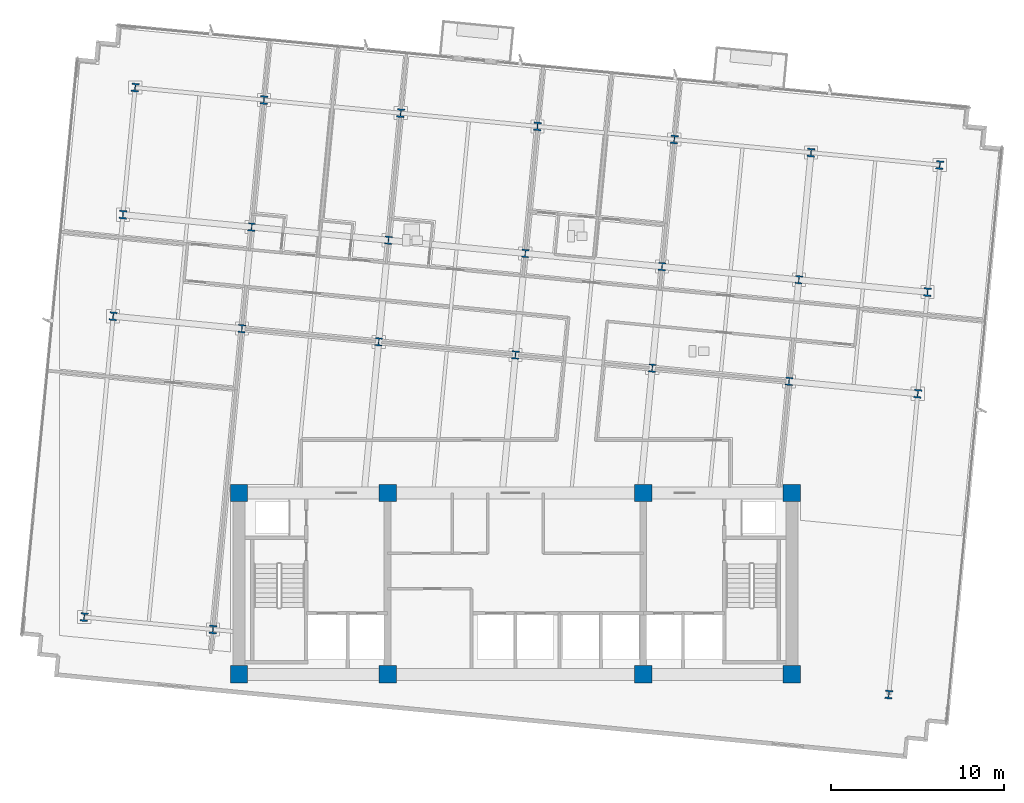
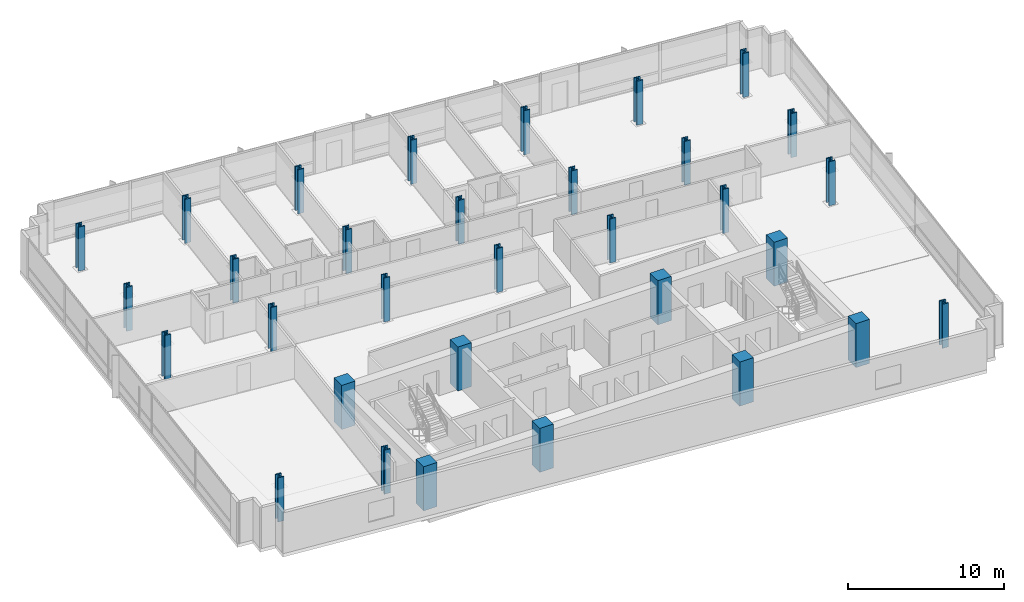
# One storey, part 1 of 17: 32 columns.
"""IFC4 building model written with IfcOpenShell, lengths in metres."""

from ifc_helpers import new_model, si_unit, direction, frame, origin, origin_2d, place, context, subcontext, project, spatial, rectangle, i_section, extrude, material, material_profile, profile_set, type_object, element, save


model = new_model("IFC4")

# Units and contexts
model_context = context("Model", 3, precision=1e-05, world=origin(), true_north=direction((0.0, 1.0)))
body_context = subcontext(model_context, "Body", "Model", "MODEL_VIEW")
ifc_project = project(units=[si_unit("LENGTHUNIT", "METRE"), si_unit("AREAUNIT", "SQUARE_METRE"), si_unit("VOLUMEUNIT", "CUBIC_METRE"), si_unit("PLANEANGLEUNIT", "RADIAN"), si_unit("MASSUNIT", "GRAM", prefix="KILO")], contexts=[model_context])

# Site, building, storey
site_placement = place(None, origin())
site = spatial("IfcSite", under=ifc_project, at=site_placement, CompositionType="ELEMENT")
building_placement = place(site_placement, origin())
building = spatial("IfcBuilding", under=site, at=building_placement, Name="Solmavex Isthmus Hotel", CompositionType="ELEMENT")
storey_placement = place(building_placement, frame((0.0, 0.0, 153.14990234375)))
storey = spatial("IfcBuildingStorey", under=building, at=storey_placement, Name="L41", CompositionType="ELEMENT", Elevation=153.14990234375)

# Columns
ifc_material_1 = material(Name="Concrete C60/75", Category="concrete")
ifc_material_profile_1 = material_profile(ifc_material_1, rectangle(XDim=1.0, YDim=1.0, at=origin_2d()), Name="RC1000X1000")
ifc_profile_set_1 = profile_set([ifc_material_profile_1], Name="Concrete C60/75")
column_type_1 = type_object("IfcColumnType", Name="COL-CC-1000", PredefinedType="COLUMN", material=ifc_profile_set_1)
for number, where, z_axis, x_axis, name in (
    (1, (-16.0, -13.0, 0.0), (0.0, 0.0, 1.0), (1.0, 0.0, 0.0), "Core Pilaster CC-SW L41"),
    (2, (-7.39990234375, -13.0, 0.0), (0.0, 0.0, 1.0), (1.0, 0.0, 0.0), "Core Pilaster CC-S1 L41"),
    (3, (7.39990234375, -13.0, 0.0), (0.0, 0.0, 1.0), (1.0, 0.0, 0.0), "Core Pilaster CC-S2 L41"),
    (4, (16.0, -13.0, 0.0), (0.0, 0.0, 1.0), (1.0, 0.0, 0.0), "Core Pilaster CC-SE L41"),
    (5, (-16.0, -2.5, 0.0), (0.0, 0.0, 1.0), (1.0, 0.0, 0.0), "Core Pilaster CC-NW L41"),
    (6, (-7.39990234375, -2.5, 0.0), (0.0, 0.0, 1.0), (1.0, 0.0, 0.0), "Core Pilaster CC-N1 L41"),
    (7, (7.39990234375, -2.5, 0.0), (0.0, 0.0, 1.0), (1.0, 0.0, 0.0), "Core Pilaster CC-N2 L41"),
    (8, (16.0, -2.5, 0.0), (0.0, 0.0, 1.0), (1.0, 0.0, 0.0), "Core Pilaster CC-NE L41"),
):
    element("IfcColumn", number, at=place(storey_placement, frame(where, z_axis=z_axis, x_axis=x_axis)), inside=storey, type_object=column_type_1, Name=name, PredefinedType="COLUMN", context=body_context, shape_type="SweptSolid", body=[
        extrude(rectangle(XDim=1.0, YDim=1.0, at=origin_2d()), origin(), (0.0, 0.0, 1.0), 3.4501953125),
    ])
ifc_material_2 = material(Name="Steel ASTM A913 Grade 65", Category="steel")
ifc_material_profile_2 = material_profile(ifc_material_2, i_section(OverallWidth=0.424072265625, OverallDepth=0.47412109375, WebThickness=0.047607421875, FlangeThickness=0.0771484375, FilletRadius=0.030517578125, at=origin_2d()), Name="W14X426")
ifc_profile_set_2 = profile_set([ifc_material_profile_2], Name="Steel ASTM A913 Grade 65")
column_type_2 = type_object("IfcColumnType", Name="COL-SC-W14X426", PredefinedType="COLUMN", material=ifc_profile_set_2)
for number, where, z_axis, x_axis, name in (
    (9, (-15.83740234375, 7.015380859375, 0.0), (0.0, 0.0, 1.0), (0.995396198367, -0.09584575252, 0.0), "Tower Column B3-U2V2 L41"),
    (10, (-15.271240234375, 12.896240234375, 0.0), (0.0, 0.0, 1.0), (0.995396198367, -0.09584575252, 0.0), "Tower Column B3-U2V3 L41"),
    (11, (-7.918212890625, 6.2529296875, 0.0), (0.0, 0.0, 1.0), (0.995396198367, -0.09584575252, 0.0), "Tower Column B3-U3V2 L41"),
    (12, (-7.351806640625, 12.1337890625, 0.0), (0.0, 0.0, 1.0), (0.995396198367, -0.09584575252, 0.0), "Tower Column B3-U3V3 L41"),
    (13, (0.001220703125, 5.490234375, 0.0), (0.0, 0.0, 1.0), (0.995396198367, -0.09584575252, 0.0), "Tower Column B3-U4V2 L41"),
    (14, (0.567626953125, 11.37109375, 0.0), (0.0, 0.0, 1.0), (0.995396198367, -0.09584575252, 0.0), "Tower Column B3-U4V3 L41"),
    (15, (7.920654296875, 4.727783203125, 0.0), (0.0, 0.0, 1.0), (0.995396198367, -0.09584575252, 0.0), "Tower Column B3-U5V2 L41"),
    (16, (8.48681640625, 10.608642578125, 0.0), (0.0, 0.0, 1.0), (0.995396198367, -0.09584575252, 0.0), "Tower Column B3-U5V3 L41"),
    (17, (15.840087890625, 3.96533203125, 0.0), (0.0, 0.0, 1.0), (0.995396198367, -0.09584575252, 0.0), "Tower Column B3-U6V2 L41"),
    (18, (16.40625, 9.845947265625, 0.0), (0.0, 0.0, 1.0), (0.995396198367, -0.09584575252, 0.0), "Tower Column B3-U6V3 L41"),
):
    element("IfcColumn", number, at=place(storey_placement, frame(where, z_axis=z_axis, x_axis=x_axis)), inside=storey, type_object=column_type_2, Name=name, PredefinedType="COLUMN", context=body_context, shape_type="SweptSolid", body=[
        extrude(i_section(OverallWidth=0.424072265625, OverallDepth=0.47412109375, WebThickness=0.047607421875, FlangeThickness=0.0771484375, FilletRadius=0.030517578125, at=origin_2d()), origin(), (0.0, 0.0, 1.0), 3.4501953125),
    ])
ifc_material_profile_3 = material_profile(ifc_material_2, i_section(OverallWidth=0.43212890625, OverallDepth=0.497802734375, WebThickness=0.0556640625, FlangeThickness=0.0888671875, FilletRadius=0.030517578125, at=origin_2d()), Name="W14X500")
ifc_profile_set_3 = profile_set([ifc_material_profile_3], Name="Steel ASTM A913 Grade 65")
column_type_3 = type_object("IfcColumnType", Name="COL-SC-W14X500", PredefinedType="COLUMN", material=ifc_profile_set_3)
for number, where, z_axis, x_axis, name in (
    (19, (-24.96826171875, -9.686279296875, 0.0), (0.0, 0.0, 1.0), (0.995396198367, -0.09584575252, 0.0), "Tower Column B3-U1V1 L41"),
    (20, (-23.291015625, 7.733154296875, 0.0), (0.0, 0.0, 1.0), (0.995396198367, -0.09584575252, 0.0), "Tower Column B3-U1V2 L41"),
    (21, (-22.724853515625, 13.614013671875, 0.0), (0.0, 0.0, 1.0), (0.995396198367, -0.09584575252, 0.0), "Tower Column B3-U1V3 L41"),
    (22, (-22.016357421875, 20.971923828125, 0.0), (0.0, 0.0, 1.0), (0.995396198367, -0.09584575252, 0.0), "Tower Column B3-U1V4 L41"),
    (23, (-17.5146484375, -10.404052734375, 0.0), (0.0, 0.0, 1.0), (0.995396198367, -0.09584575252, 0.0), "Tower Column B3-U2V1 L41"),
    (24, (-14.562744140625, 20.254150390625, 0.0), (0.0, 0.0, 1.0), (0.995396198367, -0.09584575252, 0.0), "Tower Column B3-U2V4 L41"),
    (25, (-6.643310546875, 19.49169921875, 0.0), (0.0, 0.0, 1.0), (0.995396198367, -0.09584575252, 0.0), "Tower Column B3-U3V4 L41"),
    (26, (1.276123046875, 18.72900390625, 0.0), (0.0, 0.0, 1.0), (0.995396198367, -0.09584575252, 0.0), "Tower Column B3-U4V4 L41"),
    (27, (9.1953125, 17.966552734375, 0.0), (0.0, 0.0, 1.0), (0.995396198367, -0.09584575252, 0.0), "Tower Column B3-U5V4 L41"),
    (28, (17.11474609375, 17.2041015625, 0.0), (0.0, 0.0, 1.0), (0.995396198367, -0.09584575252, 0.0), "Tower Column B3-U6V4 L41"),
    (29, (21.6162109375, -14.171875, 0.0), (0.0, 0.0, 1.0), (0.995396198367, -0.09584575252, 0.0), "Tower Column B3-U7V1 L41"),
    (30, (23.29345703125, 3.24755859375, 0.0), (0.0, 0.0, 1.0), (0.995396198367, -0.09584575252, 0.0), "Tower Column B3-U7V2 L41"),
    (31, (23.85986328125, 9.12841796875, 0.0), (0.0, 0.0, 1.0), (0.995396198367, -0.09584575252, 0.0), "Tower Column B3-U7V3 L41"),
    (32, (24.568359375, 16.486328125, 0.0), (0.0, 0.0, 1.0), (0.995396198367, -0.09584575252, 0.0), "Tower Column B3-U7V4 L41"),
):
    element("IfcColumn", number, at=place(storey_placement, frame(where, z_axis=z_axis, x_axis=x_axis)), inside=storey, type_object=column_type_3, Name=name, PredefinedType="COLUMN", context=body_context, shape_type="SweptSolid", body=[
        extrude(i_section(OverallWidth=0.43212890625, OverallDepth=0.497802734375, WebThickness=0.0556640625, FlangeThickness=0.0888671875, FilletRadius=0.030517578125, at=origin_2d()), origin(), (0.0, 0.0, 1.0), 3.4501953125),
    ])

save(model, "model.ifc")
